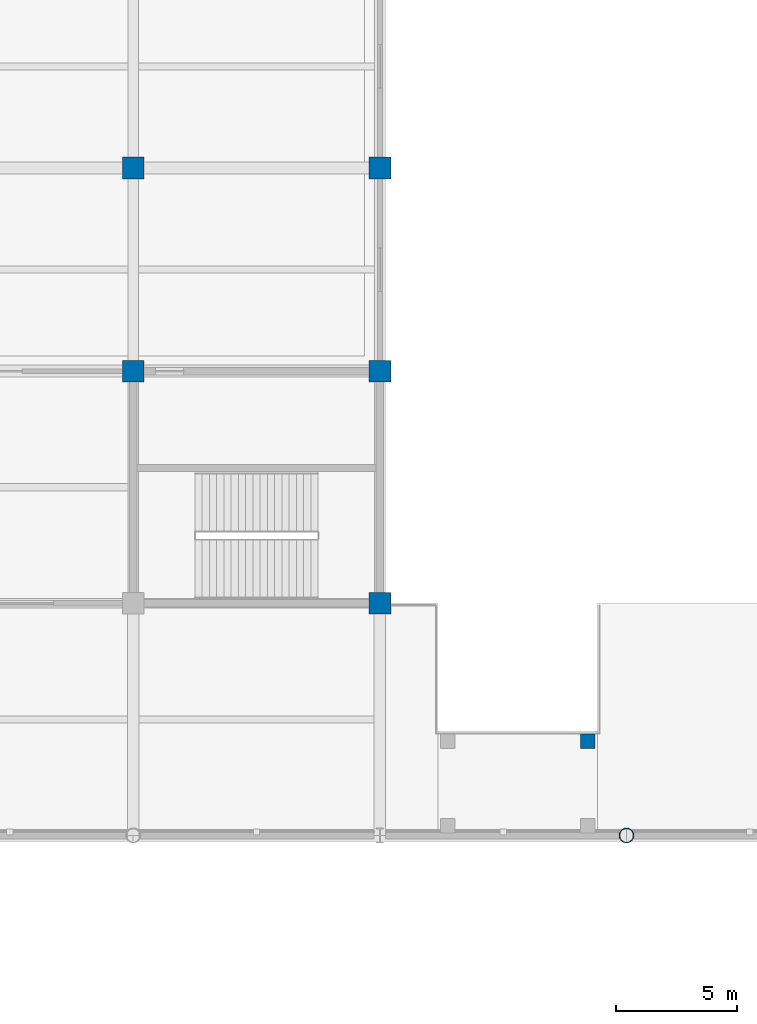
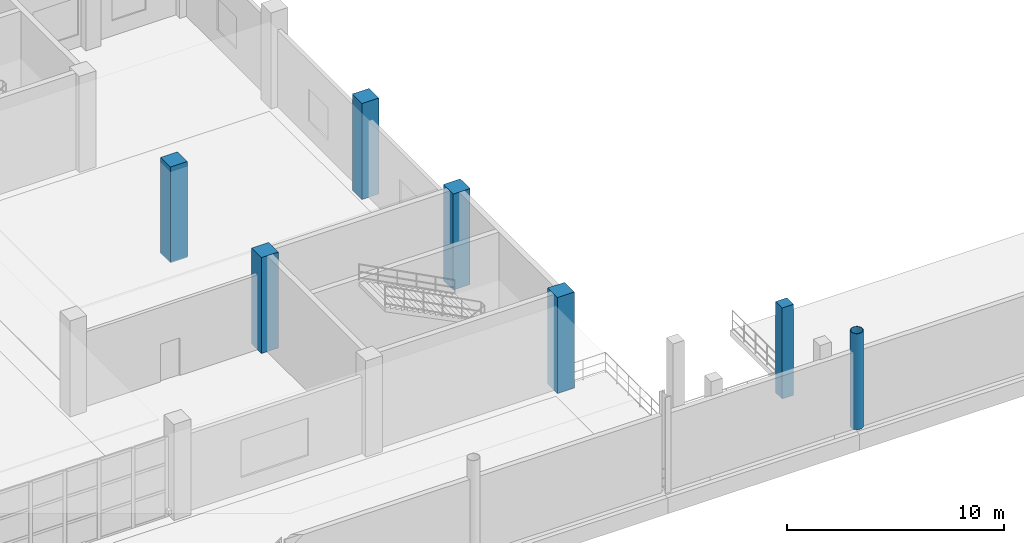
# One storey, part 9 of 175: 7 columns.
"""IFC4 building model written with IfcOpenShell, lengths in metres."""

from ifc_helpers import new_model, si_unit, direction, frame, origin, origin_2d, place, context, subcontext, project, spatial, rectangle, hollow_circle, extrude, material, material_profile, profile_set, type_object, element, save


model = new_model("IFC4")

# Units and contexts
model_context = context("Model", 3, precision=1e-05, world=origin(), true_north=direction((0.0, 1.0)))
body_context = subcontext(model_context, "Body", "Model", "MODEL_VIEW")
ifc_project = project(units=[si_unit("LENGTHUNIT", "METRE"), si_unit("AREAUNIT", "SQUARE_METRE"), si_unit("VOLUMEUNIT", "CUBIC_METRE"), si_unit("PLANEANGLEUNIT", "RADIAN"), si_unit("MASSUNIT", "GRAM", prefix="KILO")], contexts=[model_context])

# Site, building, storey
site_placement = place(None, origin())
site = spatial("IfcSite", under=ifc_project, at=site_placement, CompositionType="ELEMENT")
building_placement = place(site_placement, origin())
building = spatial("IfcBuilding", under=site, at=building_placement, Name="Brelvane Convention Centre", CompositionType="ELEMENT")
storey_placement = place(building_placement, frame((0.0, 0.0, 5.39990234375)))
storey = spatial("IfcBuildingStorey", under=building, at=storey_placement, Name="L01", CompositionType="ELEMENT", Elevation=5.39990234375)

# Columns
ifc_material_1 = material(Name="Concrete M50", Category="concrete")
ifc_material_profile_1 = material_profile(ifc_material_1, rectangle(XDim=0.89990234375, YDim=0.89990234375, at=origin_2d()), Name="RC 900x900")
ifc_profile_set_1 = profile_set([ifc_material_profile_1], Name="Concrete M50")
column_type_1 = type_object("IfcColumnType", Name="RC Column C-RC2 (RC 900x900)", PredefinedType="COLUMN", material=ifc_profile_set_1)
for number, where, z_axis, x_axis, name in (
    (1, (102.0, 118.800048828125, 0.0), (0.0, 0.0, 1.0), (1.0, 0.0, 0.0), "Column 11-M (L01)"),
    (2, (102.0, 127.199951171875, 0.0), (0.0, 0.0, 1.0), (1.0, 0.0, 0.0), "Column 11-N (L01)"),
    (3, (112.199951171875, 109.199951171875, 0.0), (0.0, 0.0, 1.0), (1.0, 0.0, 0.0), "Column 12-L (L01)"),
    (4, (112.199951171875, 118.800048828125, 0.0), (0.0, 0.0, 1.0), (1.0, 0.0, 0.0), "Column 12-M (L01)"),
    (5, (112.199951171875, 127.199951171875, 0.0), (0.0, 0.0, 1.0), (1.0, 0.0, 0.0), "Column 12-N (L01)"),
):
    element("IfcColumn", number, at=place(storey_placement, frame(where, z_axis=z_axis, x_axis=x_axis)), inside=storey, type_object=column_type_1, Name=name, PredefinedType="COLUMN", context=body_context, shape_type="SweptSolid", body=[
        extrude(rectangle(XDim=0.89990234375, YDim=0.89990234375, at=origin_2d()), origin(), (0.0, 0.0, 1.0), 5.400146484375),
    ])
ifc_material_2 = material(Name="Concrete M50", Category="concrete")
ifc_material_profile_2 = material_profile(ifc_material_2, rectangle(XDim=0.60009765625, YDim=0.60009765625, at=origin_2d()), Name="RC 600x600")
ifc_profile_set_2 = profile_set([ifc_material_profile_2], Name="Concrete M50")
column_type_2 = type_object("IfcColumnType", Name="RC Column C-RC4 (RC 600x600)", PredefinedType="COLUMN", material=ifc_profile_set_2)
column_1_placement = place(storey_placement, frame((120.800048828125, 103.5, 0.0), z_axis=(0.0, 0.0, 1.0), x_axis=(1.0, 0.0, 0.0)))
element("IfcColumn", 6, at=column_1_placement, inside=storey, type_object=column_type_2, Name="VR1 South L01 Column 4", PredefinedType="COLUMN", context=body_context, shape_type="SweptSolid", body=[
    extrude(rectangle(XDim=0.60009765625, YDim=0.60009765625, at=origin_2d()), origin(), (0.0, 0.0, 1.0), 5.1201171875),
])
ifc_material_3 = material(Name="Steel E450 (450 MPa)", Category="steel")
ifc_material_profile_3 = material_profile(ifc_material_3, hollow_circle(Radius=0.304931640625, WallThickness=0.02490234375, at=origin_2d()), Name="CHS 610.0x25.0")
ifc_profile_set_3 = profile_set([ifc_material_profile_3], Name="Steel E450 (450 MPa)")
column_type_3 = type_object("IfcColumnType", Name="Steel Column C-ST1 (CHS 610.0x25.0)", PredefinedType="COLUMN", material=ifc_profile_set_3)
column_2_placement = place(storey_placement, frame((122.39990234375, 99.60009765625, 0.0), z_axis=(0.0, 0.0, 1.0), x_axis=(1.0, 0.0, 0.0)))
element("IfcColumn", 7, at=column_2_placement, inside=storey, type_object=column_type_3, Name="Column 13-K (L01)", PredefinedType="COLUMN", context=body_context, shape_type="SweptSolid", body=[
    extrude(hollow_circle(Radius=0.304931640625, WallThickness=0.02490234375, at=origin_2d()), origin(), (0.0, 0.0, 1.0), 5.400146484375),
])

save(model, "model.ifc")
